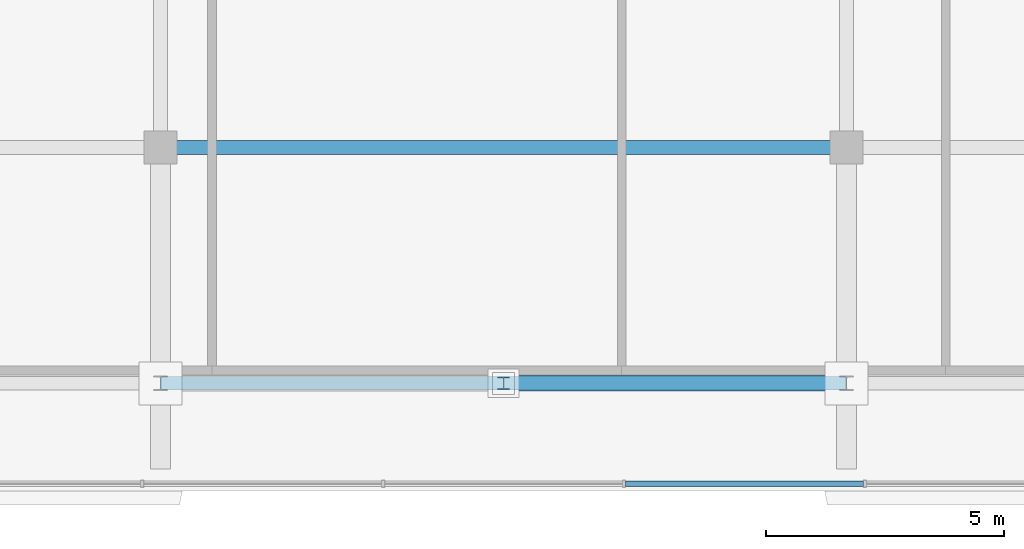
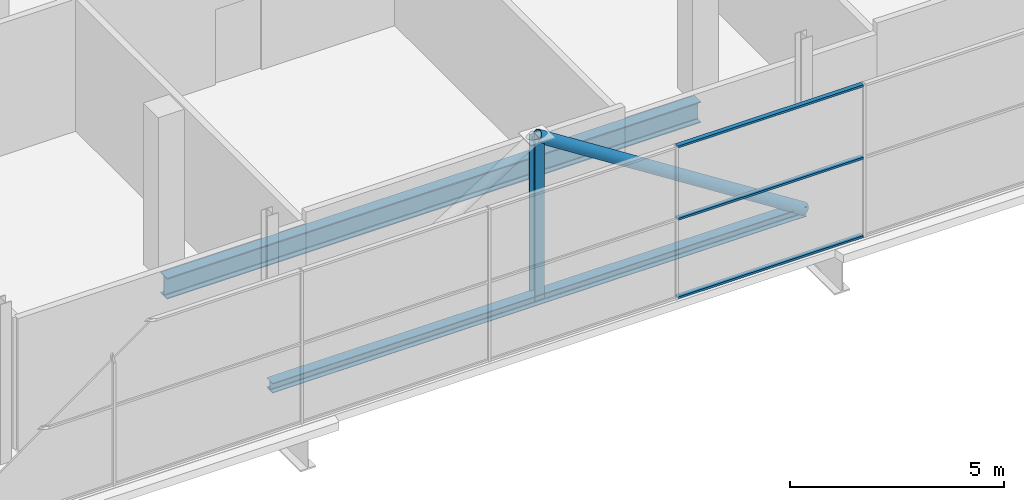
# One storey, part 8 of 28: 5 members, 2 beams, 1 element without a shape of its own.
"""IFC4 building model written with IfcOpenShell, lengths in metres."""

from ifc_helpers import new_model, si_unit, direction, frame, origin, origin_2d, place, context, subcontext, project, spatial, hollow_rectangle, hollow_circle, i_section, extrude, source, transform, mapped, material, layer, layer_set, material_profile, profile_set, type_object, element, aggregate, save


model = new_model("IFC4")

# Units and contexts
model_context = context("Model", 3, precision=1e-05, world=origin(), true_north=direction((0.0, 1.0)))
body_context = subcontext(model_context, "Body", "Model", "MODEL_VIEW")
ifc_project = project(units=[si_unit("LENGTHUNIT", "METRE"), si_unit("AREAUNIT", "SQUARE_METRE"), si_unit("VOLUMEUNIT", "CUBIC_METRE"), si_unit("PLANEANGLEUNIT", "RADIAN"), si_unit("MASSUNIT", "GRAM", prefix="KILO")], contexts=[model_context])

# Site, building, storey
site_placement = place(None, origin())
site = spatial("IfcSite", under=ifc_project, at=site_placement, CompositionType="ELEMENT")
building_placement = place(site_placement, origin())
building = spatial("IfcBuilding", under=site, at=building_placement, Name="Zarnakvel Exchange Tower", CompositionType="ELEMENT")
storey_placement = place(building_placement, frame((0.0, 0.0, 271.60009765625)))
storey = spatial("IfcBuildingStorey", under=building, at=storey_placement, Name="Crown L77", CompositionType="ELEMENT", Elevation=271.60009765625)

# Beams
ifc_material_1 = material(Name="Steel S355", Category="steel")
ifc_material_profile_1 = material_profile(ifc_material_1, i_section(OverallWidth=0.300048828125, OverallDepth=0.60009765625, WebThickness=0.015380859375, FlangeThickness=0.030029296875, FilletRadius=0.027099609375, at=origin_2d()))
ifc_profile_set_1 = profile_set([ifc_material_profile_1], Name="Steel S355")
beam_type_1 = type_object("IfcBeamType", Name="G-04", PredefinedType="BEAM", material=ifc_profile_set_1)
beam_1_placement = place(storey_placement, frame((-7.199951171875, -9.60009765625, -0.52001953125), z_axis=(1.0, 0.0, 0.0), x_axis=(0.0, 1.0, 0.0)))
element("IfcBeam", 1, at=beam_1_placement, inside=storey, type_object=beam_type_1, Name="Crown L77 Tower E-W Frame Beam", PredefinedType="BEAM", context=body_context, shape_type="SweptSolid", body=[
    extrude(i_section(OverallWidth=0.300048828125, OverallDepth=0.60009765625, WebThickness=0.015380859375, FlangeThickness=0.030029296875, FilletRadius=0.027099609375, at=origin_2d()), origin(), (0.0, 0.0, 1.0), 14.39990234375),
])
ifc_material_profile_2 = material_profile(ifc_material_1, i_section(OverallWidth=0.280029296875, OverallDepth=0.280029296875, WebThickness=0.010498046875, FlangeThickness=0.01806640625, FilletRadius=0.02392578125, at=origin_2d()))
ifc_profile_set_2 = profile_set([ifc_material_profile_2], Name="Steel S355")
beam_type_2 = type_object("IfcBeamType", Name="SP-04", PredefinedType="SPANDREL", material=ifc_profile_set_2)
beam_2_placement = place(storey_placement, frame((-7.199951171875, -14.550048828125, -0.360107421875), z_axis=(1.0, 0.0, 0.0), x_axis=(0.0, 1.0, 0.0)))
element("IfcBeam", 2, at=beam_2_placement, inside=storey, type_object=beam_type_2, Name="Crown L77 Tower E-W Frame Beam", PredefinedType="SPANDREL", context=body_context, shape_type="SweptSolid", body=[
    extrude(i_section(OverallWidth=0.280029296875, OverallDepth=0.280029296875, WebThickness=0.010498046875, FlangeThickness=0.01806640625, FilletRadius=0.02392578125, at=origin_2d()), origin(), (0.0, 0.0, 1.0), 14.39990234375),
])

# Members
ifc_material_profile_3 = material_profile(ifc_material_1, hollow_circle(Radius=0.161865234375, WallThickness=0.01611328125, at=origin_2d()))
ifc_profile_set_3 = profile_set([ifc_material_profile_3], Name="Steel S355")
member_type_1 = type_object("IfcMemberType", Name="CF-03", PredefinedType="BRACE", material=ifc_profile_set_3)
shared_shape_1 = source(origin(), body_context, "Body", "SweptSolid", [
    extrude(hollow_circle(Radius=0.161865234375, WallThickness=0.01611328125, at=origin_2d()), origin(), (0.0, 0.0, 1.0), 8.5439453125),
])
member_1_placement = place(storey_placement, frame((7.199951171875, -14.550048828125, -0.360107421875), z_axis=(-0.842689417531, 0.0, 0.53839998661), x_axis=(0.0, -1.0, 0.0)))
element("IfcMember", 3, at=member_1_placement, inside=storey, type_object=member_type_1, Name="Crown L77 Crown Chevron Brace R (CF-03)", PredefinedType="BRACE", context=body_context, shape_type="MappedRepresentation", body=[
    mapped(shared_shape_1, transform((0.0, 0.0, 0.0), x_axis=(1.0, 0.0, 0.0), y_axis=(0.0, 1.0, 0.0), z_axis=(0.0, 0.0, 1.0), scale=1.0)),
])
ifc_material_profile_4 = material_profile(ifc_material_1, i_section(OverallWidth=0.25634765625, OverallDepth=0.26025390625, WebThickness=0.01025390625, FlangeThickness=0.017333984375, FilletRadius=0.0126953125, at=origin_2d()))
ifc_profile_set_4 = profile_set([ifc_material_profile_4], Name="Steel S355")
member_type_2 = type_object("IfcMemberType", Name="CF-04", PredefinedType="STRUT", material=ifc_profile_set_4)
shared_shape_2 = source(origin(), body_context, "Body", "SweptSolid", [
    extrude(i_section(OverallWidth=0.25634765625, OverallDepth=0.26025390625, WebThickness=0.01025390625, FlangeThickness=0.017333984375, FilletRadius=0.0126953125, at=origin_2d()), origin(), (0.0, 0.0, 1.0), 4.60009765625),
])
member_2_placement = place(storey_placement, frame((0.0, -14.550048828125, -0.360107421875), z_axis=(0.0, 0.0, 1.0), x_axis=(1.0, 0.0, 0.0)))
element("IfcMember", 4, at=member_2_placement, inside=storey, type_object=member_type_2, Name="Crown L77 Crown Frame Post (CF-04)", PredefinedType="STRUT", context=body_context, shape_type="MappedRepresentation", body=[
    mapped(shared_shape_2, transform((0.0, 0.0, 0.0), x_axis=(1.0, 0.0, 0.0), y_axis=(0.0, 1.0, 0.0), z_axis=(0.0, 0.0, 1.0), scale=1.0)),
])

# Curtain wall, members
ifc_material_2 = material(Name="Architectural Bronze Anodised Aluminium", Category="aluminium")
ifc_layer = layer(ifc_material_2, 0.14990234375)
ifc_layer_set = layer_set([ifc_layer], Name="Architectural Bronze Anodised Aluminium")
curtain_wall_type = type_object("IfcCurtainWallType", Name="CW-07", PredefinedType="NOTDEFINED", material=ifc_layer_set)
curtain_wall_placement = place(storey_placement, origin())
curtain_wall = element("IfcCurtainWall", 5, at=curtain_wall_placement, inside=storey, type_object=curtain_wall_type, Name="Crown L77 Curtain Wall CW-Crown L77-S (CW-07)", PredefinedType="NOTDEFINED")
ifc_material_profile_5 = material_profile(ifc_material_2, hollow_rectangle(XDim=0.1201171875, YDim=0.06005859375, WallThickness=0.00390625, at=origin_2d()))
ifc_profile_set_5 = profile_set([ifc_material_profile_5], Name="Architectural Bronze Anodised Aluminium")
member_type_3 = type_object("IfcMemberType", Name="CWT-07", PredefinedType="USERDEFINED", material=ifc_profile_set_5)
shared_shape_3 = source(origin(), body_context, "Body", "SweptSolid", [
    extrude(hollow_rectangle(XDim=0.1201171875, YDim=0.06005859375, WallThickness=0.00390625, at=origin_2d()), origin(), (0.0, 0.0, 1.0), 4.9970703125),
])
member_3_placement = place(storey_placement, frame((2.55859375, -16.659912109375, 0.02978515625), z_axis=(1.0, 0.0, 0.0), x_axis=(0.0, 1.0, 0.0)))
member_3 = element("IfcMember", 6, at=member_3_placement, type_object=member_type_3, Name="CW-07 transom 5.1", ObjectType="TRANSOM", PredefinedType="USERDEFINED", context=body_context, shape_type="MappedRepresentation", body=[
    mapped(shared_shape_3, transform((0.0, 0.0, 0.0), x_axis=(1.0, 0.0, 0.0), y_axis=(0.0, 1.0, 0.0), z_axis=(0.0, 0.0, 1.0), scale=1.0)),
])
member_4_placement = place(storey_placement, frame((2.55859375, -16.659912109375, 2.26708984375), z_axis=(1.0, 0.0, 0.0), x_axis=(0.0, 1.0, 0.0)))
member_4 = element("IfcMember", 7, at=member_4_placement, type_object=member_type_3, Name="CW-07 transom 5.2", ObjectType="TRANSOM", PredefinedType="USERDEFINED", context=body_context, shape_type="MappedRepresentation", body=[
    mapped(shared_shape_3, transform((0.0, 0.0, 0.0), x_axis=(1.0, 0.0, 0.0), y_axis=(0.0, 1.0, 0.0), z_axis=(0.0, 0.0, 1.0), scale=1.0)),
])
member_5_placement = place(storey_placement, frame((2.55859375, -16.659912109375, 4.329833984375), z_axis=(1.0, 0.0, 0.0), x_axis=(0.0, 1.0, 0.0)))
member_5 = element("IfcMember", 8, at=member_5_placement, type_object=member_type_3, Name="CW-07 transom 5.3", ObjectType="TRANSOM", PredefinedType="USERDEFINED", context=body_context, shape_type="MappedRepresentation", body=[
    mapped(shared_shape_3, transform((0.0, 0.0, 0.0), x_axis=(1.0, 0.0, 0.0), y_axis=(0.0, 1.0, 0.0), z_axis=(0.0, 0.0, 1.0), scale=1.0)),
])
aggregate(curtain_wall, [member_3, member_4, member_5])

save(model, "model.ifc")
